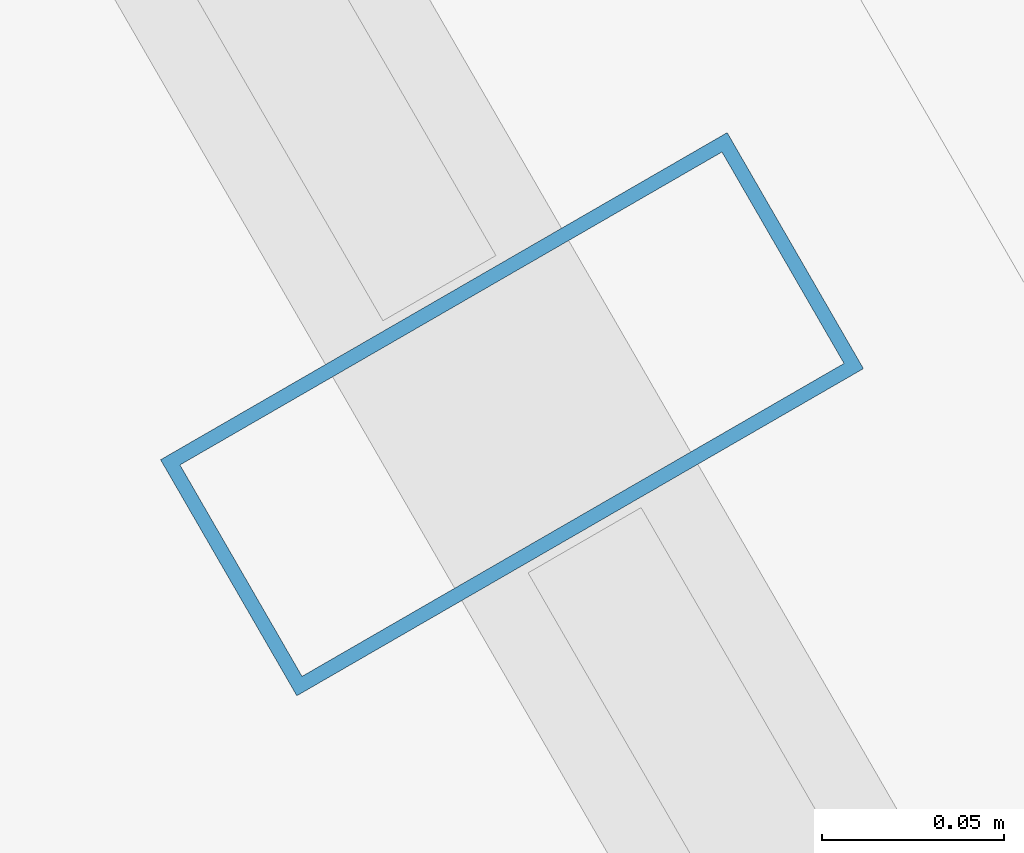
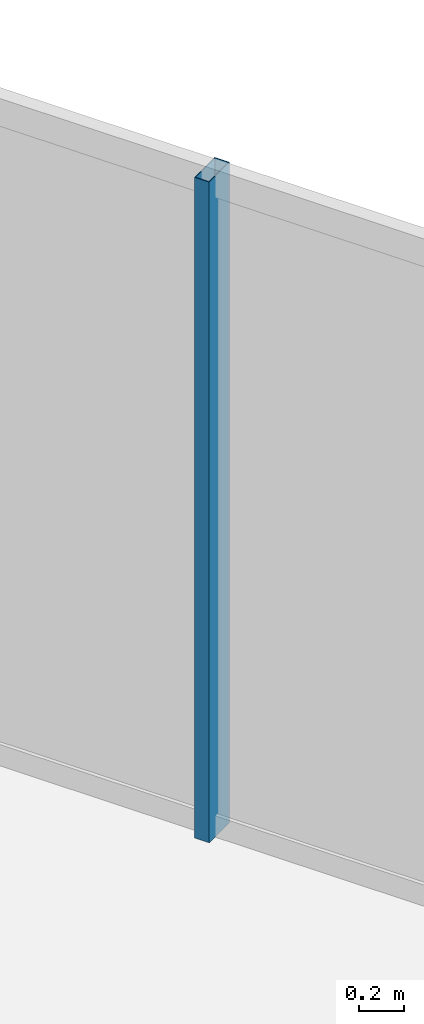
# One storey, part 19 of 35: 1 member, 1 element without a shape of its own.
"""IFC4 building model written with IfcOpenShell, lengths in metres."""

from ifc_helpers import new_model, si_unit, direction, frame, origin, origin_2d, place, context, subcontext, project, spatial, hollow_rectangle, extrude, material, layer, layer_set, material_profile, profile_set, type_object, element, aggregate, save


model = new_model("IFC4")

# Units and contexts
model_context = context("Model", 3, precision=1e-05, world=origin(), true_north=direction((0.0, 1.0)))
body_context = subcontext(model_context, "Body", "Model", "MODEL_VIEW")
ifc_project = project(units=[si_unit("LENGTHUNIT", "METRE"), si_unit("AREAUNIT", "SQUARE_METRE"), si_unit("VOLUMEUNIT", "CUBIC_METRE"), si_unit("PLANEANGLEUNIT", "RADIAN"), si_unit("MASSUNIT", "GRAM", prefix="KILO")], contexts=[model_context])

# Site, building, storey
site_placement = place(None, origin())
site = spatial("IfcSite", under=ifc_project, at=site_placement, CompositionType="ELEMENT")
building_placement = place(site_placement, origin())
building = spatial("IfcBuilding", under=site, at=building_placement, Name="Ndaravel Arena Tower", CompositionType="ELEMENT")
storey_placement = place(building_placement, frame((0.0, 0.0, 172.60009765625)))
storey = spatial("IfcBuildingStorey", under=building, at=storey_placement, Name="L41", CompositionType="ELEMENT", Elevation=172.60009765625)

# Curtain wall, member
ifc_material_1 = material(Name="Aluminium", Category="aluminium")
ifc_layer = layer(ifc_material_1, 0.179931640625)
ifc_layer_set = layer_set([ifc_layer], Name="Aluminium")
curtain_wall_type = type_object("IfcCurtainWallType", Name="CW-SYS-03", PredefinedType="NOTDEFINED", material=ifc_layer_set)
curtain_wall_placement = place(storey_placement, origin())
curtain_wall = element("IfcCurtainWall", 1, at=curtain_wall_placement, inside=storey, type_object=curtain_wall_type, Name="L41 Faceted Crystal Curtain Wall CW-L41-E03", PredefinedType="NOTDEFINED")
ifc_material_2 = material(Name="Aluminium", Category="aluminium")
ifc_material_profile = material_profile(ifc_material_2, hollow_rectangle(XDim=0.074951171875, YDim=0.179931640625, WallThickness=0.00390625, at=origin_2d()), Name="CW MULLION 75x180x4")
ifc_profile_set = profile_set([ifc_material_profile], Name="Aluminium")
member_type = type_object("IfcMemberType", Name="MEM-CW-MUL180", PredefinedType="MULLION", material=ifc_profile_set)
member_placement = place(storey_placement, frame((59.48779296875, 24.6513671875, 0.0), z_axis=(0.0, 0.0, 1.0), x_axis=(-0.5, 0.866025403784, 0.0)))
member = element("IfcMember", 2, at=member_placement, type_object=member_type, Name="CW-L41-E03 Mullion 03", PredefinedType="MULLION", context=body_context, shape_type="SweptSolid", body=[
    extrude(hollow_rectangle(XDim=0.074951171875, YDim=0.179931640625, WallThickness=0.00390625, at=origin_2d()), origin(), (0.0, 0.0, 1.0), 3.579833984375),
])
aggregate(curtain_wall, [member])

save(model, "model.ifc")
